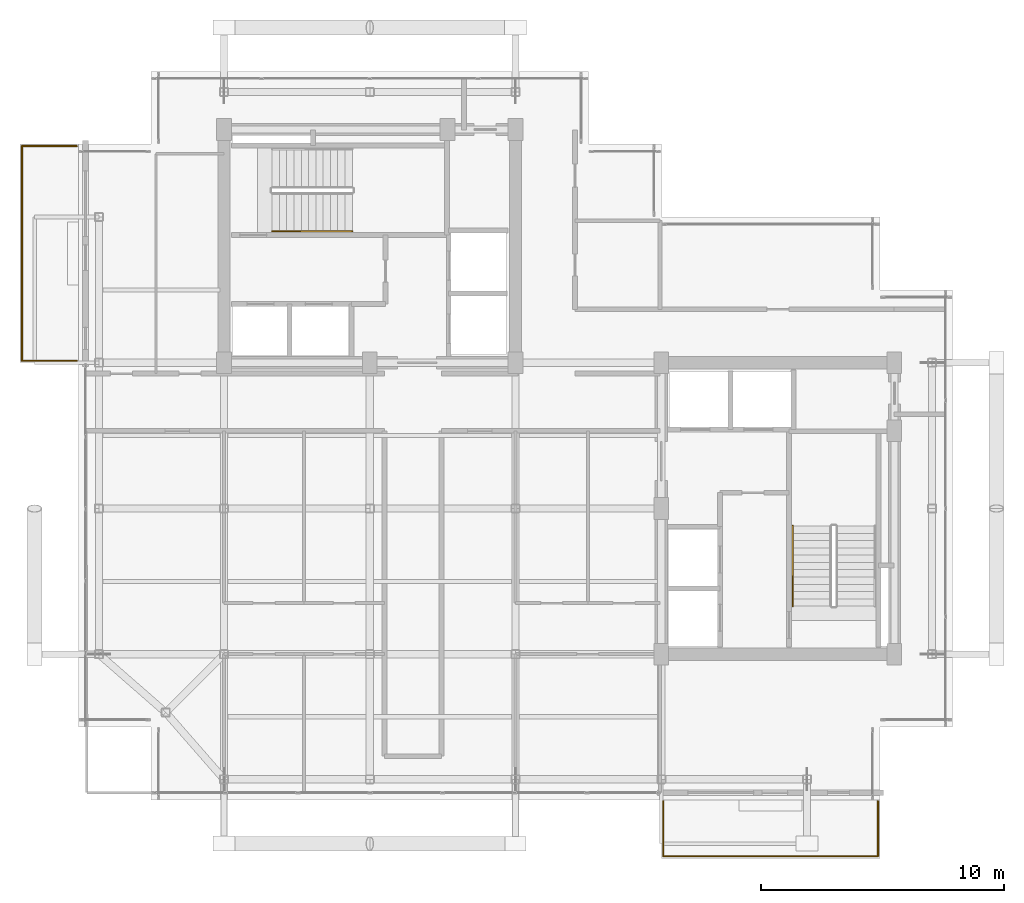
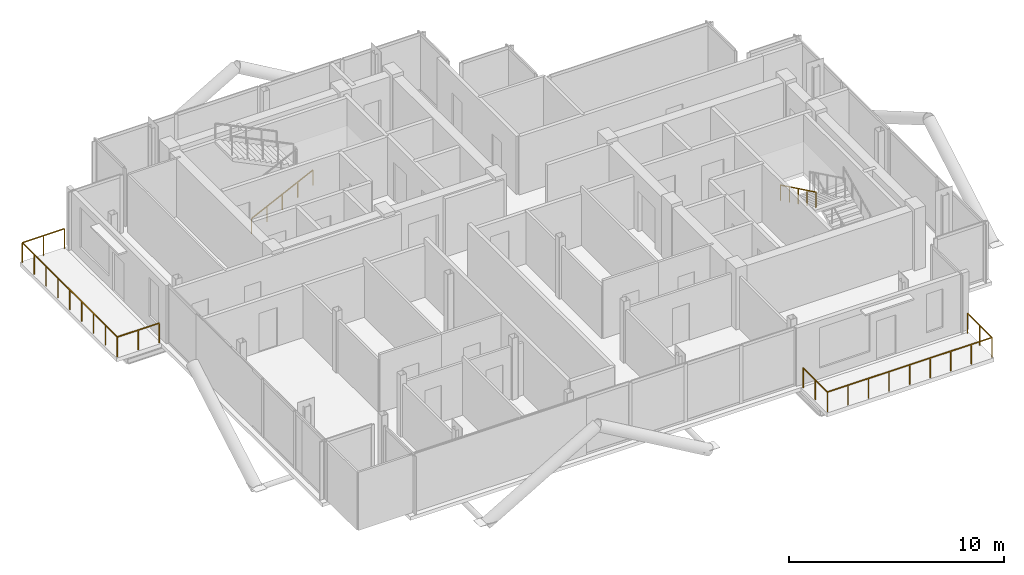
# One storey, part 18 of 19: 4 railings.
"""IFC4 building model written with IfcOpenShell, lengths in metres."""

import ifcopenshell
import ifcopenshell.guid

model = None  # the IFC model being written
_history = None  # IfcOwnerHistory: only IFC2X3 demands one
_inside = {}  # id of a spatial element -> (the spatial element, [elements in it])
_under = {}  # id of a project, library or spatial element -> (it, [spatial elements below it])
_declared = {}  # id of a project -> (the project, [libraries it declares])
_typed = {}  # id of a type object -> (the type object, [elements of that type])
_made_of = {}  # id of a material, layer set ... -> (it, [elements and type objects made of it])


def new_model(schema):
    """Start an empty IFC model of exactly this schema.

    Asked for "IFC4X3", IfcOpenShell would pick the latest addendum, in which some entities
    have other attributes; the version numbers below select the first issue.
    IFC2X3 requires an IfcOwnerHistory on every rooted entity: one is made here for all.
    """
    global model, _history
    if schema == "IFC4X3":
        model = ifcopenshell.file(schema_version=(4, 3, 0, 0))
    else:
        model = ifcopenshell.file(schema=schema)
    _inside.clear()
    _under.clear()
    _declared.clear()
    _typed.clear()
    _made_of.clear()
    _history = None
    if model.schema == "IFC2X3":
        org = make("IfcOrganization", Name="unknown")
        user = make(
            "IfcPersonAndOrganization",
            ThePerson=make("IfcPerson", FamilyName="unknown"),
            TheOrganization=org,
        )
        app = make(
            "IfcApplication",
            ApplicationDeveloper=org,
            Version="unknown",
            ApplicationFullName="unknown",
            ApplicationIdentifier="unknown",
        )
        _history = make(
            "IfcOwnerHistory",
            OwningUser=user,
            OwningApplication=app,
            ChangeAction="ADDED",
            CreationDate=0,
        )
    return model


def make(cls, **values):
    """One entity of the class cls with the attributes given. An attribute that is None is left unset."""
    return model.create_entity(
        cls, **{name: value for name, value in values.items() if value is not None}
    )


def rooted(cls, **values):
    """An entity with a GlobalId (a new one), such as an element, a storey or a relation."""
    return make(cls, GlobalId=ifcopenshell.guid.new(), OwnerHistory=_history, **values)


def si_unit(unit_type, name, prefix=None):
    """IfcSIUnit, for example si_unit("LENGTHUNIT", "METRE", prefix="MILLI")."""
    return make("IfcSIUnit", UnitType=unit_type, Prefix=prefix, Name=name)


def assignment(units):
    """IfcUnitAssignment: the units of a project."""
    return None if units is None else make("IfcUnitAssignment", Units=units)


def point(xyz):
    """IfcCartesianPoint."""
    return None if xyz is None else make("IfcCartesianPoint", Coordinates=xyz)


def direction(xyz):
    """IfcDirection."""
    return None if xyz is None else make("IfcDirection", DirectionRatios=xyz)


def frame(location, z_axis=None, x_axis=None):
    """IfcAxis2Placement3D, a coordinate frame: its origin and axes. An axis left out is left unset."""
    return make(
        "IfcAxis2Placement3D",
        Location=point(location),
        Axis=direction(z_axis),
        RefDirection=direction(x_axis),
    )


def frame_2d(location, x_axis=None):
    """IfcAxis2Placement2D, a coordinate frame in the plane: its origin and x axis."""
    return make(
        "IfcAxis2Placement2D", Location=point(location), RefDirection=direction(x_axis)
    )


def origin():
    """The frame at (0, 0, 0) with its axes left unset."""
    return frame((0.0, 0.0, 0.0))


def origin_2d():
    """The frame at (0, 0) in the plane with its x axis left unset."""
    return frame_2d((0.0, 0.0))


def place(relative_to, where):
    """IfcLocalPlacement: puts the frame where relative to a parent placement (None: the world)."""
    return make(
        "IfcLocalPlacement", PlacementRelTo=relative_to, RelativePlacement=where
    )


def context(
    kind, dimensions, precision=None, world=None, true_north=None, identifier=None
):
    """IfcGeometricRepresentationContext, for example the 3D "Model" context."""
    return make(
        "IfcGeometricRepresentationContext",
        ContextIdentifier=identifier,
        ContextType=kind,
        CoordinateSpaceDimension=dimensions,
        Precision=precision,
        WorldCoordinateSystem=world,
        TrueNorth=true_north,
    )


def subcontext(parent, identifier, kind, view, scale=None):
    """IfcGeometricRepresentationSubContext, for example "Body" below "Model"."""
    return make(
        "IfcGeometricRepresentationSubContext",
        ContextIdentifier=identifier,
        ContextType=kind,
        ParentContext=parent,
        TargetScale=scale,
        TargetView=view,
    )


def project(units=None, contexts=None):
    """IfcProject with its units and contexts."""
    return rooted(
        "IfcProject",
        Name="project",
        RepresentationContexts=contexts,
        UnitsInContext=assignment(units),
    )


def spatial(cls, under=None, at=None, **own):
    """A site, building, storey or space (cls), placed at a placement, below another one or the project."""
    s = rooted(cls, ObjectPlacement=at, **own)
    if under is not None:
        _under.setdefault(under.id(), (under, []))[1].append(s)
    return s


def profile(cls, at=None, kind="AREA", **sizes):
    """A parametric profile (cls). Its sizes go by their IFC names, for example OverallWidth=200.0."""
    return make(cls, ProfileType=kind, Position=at, **sizes)


def rectangle(**sizes):
    """IfcRectangleProfileDef."""
    return profile("IfcRectangleProfileDef", **sizes)


def extrude(swept, where, along, depth):
    """IfcExtrudedAreaSolid: the profile swept, set in the frame where, extruded along a direction by depth."""
    return make(
        "IfcExtrudedAreaSolid",
        SweptArea=swept,
        Position=where,
        ExtrudedDirection=direction(along),
        Depth=depth,
    )


def shape(context_of_items, identifier, shape_type, items):
    """IfcShapeRepresentation: the items that make up one representation, for example the "Body"."""
    return make(
        "IfcShapeRepresentation",
        ContextOfItems=context_of_items,
        RepresentationIdentifier=identifier,
        RepresentationType=shape_type,
        Items=items,
    )


def material(Name=None, Category=None):
    """IfcMaterial."""
    return make("IfcMaterial", Name=Name, Category=Category)


def made_of(thing, what):
    """Note that an element or type object is made of a material, layer set ...; save() writes the relation."""
    if what is not None:
        _made_of.setdefault(what.id(), (what, []))[1].append(thing)
    return thing


def type_object(cls, material=None, **own):
    """A type object (cls), such as IfcWallType, which elements share."""
    return made_of(rooted(cls, **own), material)


def element(
    cls,
    number,
    at=None,
    inside=None,
    cuts=None,
    type_object=None,
    material=None,
    context=None,
    identifier="Body",
    shape_type=None,
    held_by="IfcProductDefinitionShape",
    body=None,
    shapes=None,
    **own,
):
    """One element of the class cls, such as IfcWall. Its Tag is "e" and its number.

    at: its placement. inside: the storey or other place that contains it. cuts: it is an
    opening in that element (IfcRelVoidsElement). A single representation is given by context,
    identifier, shape_type and body (its items); several are given by shapes. held_by: the class
    of the entity that holds the representations. save() writes the other relations.
    """
    e = rooted(cls, Tag="e%d" % number, ObjectPlacement=at, **own)
    if body is not None:
        shapes = [shape(context, identifier, shape_type, body)]
    if shapes is not None:
        e.Representation = make(held_by, Representations=shapes)
    if inside is not None:
        _inside.setdefault(inside.id(), (inside, []))[1].append(e)
    if cuts is not None:
        rooted(
            "IfcRelVoidsElement", RelatingBuildingElement=cuts, RelatedOpeningElement=e
        )
    if type_object is not None:
        _typed.setdefault(type_object.id(), (type_object, []))[1].append(e)
    return made_of(e, material)


def aggregate(whole, parts):
    """IfcRelAggregates: a whole, such as a stair, and the parts it consists of."""
    return rooted("IfcRelAggregates", RelatingObject=whole, RelatedObjects=parts)


def save(model, path):
    """Write the relations noted so far, then the file.

    IfcRelAggregates (storeys below a building ...), IfcRelContainedInSpatialStructure (elements
    in a storey), IfcRelDefinesByType, IfcRelAssociatesMaterial and IfcRelDeclares: one each for
    every whole, place, type object, material and project.
    """
    for whole, parts in _under.values():
        aggregate(whole, parts)
    for where, things in _inside.values():
        rooted(
            "IfcRelContainedInSpatialStructure",
            RelatedElements=things,
            RelatingStructure=where,
        )
    for kind, things in _typed.values():
        rooted("IfcRelDefinesByType", RelatedObjects=things, RelatingType=kind)
    for what, things in _made_of.values():
        rooted("IfcRelAssociatesMaterial", RelatedObjects=things, RelatingMaterial=what)
    for by, libraries in _declared.values():
        rooted("IfcRelDeclares", RelatingContext=by, RelatedDefinitions=libraries)
    model.write(path)


model = new_model("IFC4")

# Units and contexts
model_context = context("Model", 3, precision=1e-05, world=origin(), true_north=direction((0.0, 1.0)))
body_context = subcontext(model_context, "Body", "Model", "MODEL_VIEW")
ifc_project = project(units=[si_unit("LENGTHUNIT", "METRE"), si_unit("AREAUNIT", "SQUARE_METRE"), si_unit("VOLUMEUNIT", "CUBIC_METRE"), si_unit("PLANEANGLEUNIT", "RADIAN"), si_unit("MASSUNIT", "GRAM", prefix="KILO"), si_unit("THERMODYNAMICTEMPERATUREUNIT", "KELVIN"), si_unit("POWERUNIT", "WATT")], contexts=[model_context])

# Site, building, storey
site_placement = place(None, origin())
site = spatial("IfcSite", under=ifc_project, at=site_placement, CompositionType="ELEMENT")
building_placement = place(site_placement, origin())
building = spatial("IfcBuilding", under=site, at=building_placement, Name="Svarakhadi Broadcast Tower", CompositionType="ELEMENT")
storey_placement = place(building_placement, frame((0.0, 0.0, 257.199951171875)))
storey = spatial("IfcBuildingStorey", under=building, at=storey_placement, Name="L64", CompositionType="ELEMENT", Elevation=257.199951171875)

# Railings
ifc_material_1 = material(Name="Laminated Structural SentryGlas Balustrade 25.5 mm", Category="glass")
railing_type_1 = type_object("IfcRailingType", Name="Guard_Balcony_GR01", PredefinedType="BALUSTRADE", material=ifc_material_1)
railing_1_placement = place(storey_placement, frame((24.080078125, -0.06005859375, 0.0)))
element("IfcRailing", 1, at=railing_1_placement, inside=storey, type_object=railing_type_1, Name="L64 South Tree Balcony Guard GR-05", PredefinedType="BALUSTRADE", context=body_context, shape_type="SweptSolid", body=[
    extrude(rectangle(XDim=0.048095703125, YDim=0.048095703125, at=origin_2d()), frame((0.0, 0.0, 1.1259765625), z_axis=(0.0, -1.0, 0.0), x_axis=(1.0, 0.0, 0.0)), (0.0, 0.0, 1.0), 2.260009765625),
    extrude(rectangle(XDim=0.048095703125, YDim=0.048095703125, at=origin_2d()), frame((0.0, -2.260009765625, 1.1259765625), z_axis=(1.0, 0.0, 0.0), x_axis=(0.0, 1.0, 0.0)), (0.0, 0.0, 1.0), 8.83984375),
    extrude(rectangle(XDim=0.048095703125, YDim=0.048095703125, at=origin_2d()), frame((8.83984375, -2.260009765625, 1.1259765625), z_axis=(0.0, 1.0, 0.0), x_axis=(-1.0, 0.0, 0.0)), (0.0, 0.0, 1.0), 2.260009765625),
    extrude(rectangle(XDim=0.0419921875, YDim=0.0419921875, at=origin_2d()), origin(), (0.0, 0.0, 1.0), 1.101806640625),
    extrude(rectangle(XDim=0.0419921875, YDim=0.0419921875, at=origin_2d()), frame((0.0, -1.1298828125, 0.0)), (0.0, 0.0, 1.0), 1.101806640625),
    extrude(rectangle(XDim=0.0419921875, YDim=0.0419921875, at=origin_2d()), frame((0.0, -2.260009765625, 0.0)), (0.0, 0.0, 1.0), 1.101806640625),
    extrude(rectangle(XDim=0.0419921875, YDim=0.0419921875, at=origin_2d()), frame((1.10498046875, -2.260009765625, 0.0)), (0.0, 0.0, 1.0), 1.101806640625),
    extrude(rectangle(XDim=0.0419921875, YDim=0.0419921875, at=origin_2d()), frame((2.2099609375, -2.260009765625, 0.0)), (0.0, 0.0, 1.0), 1.101806640625),
    extrude(rectangle(XDim=0.0419921875, YDim=0.0419921875, at=origin_2d()), frame((3.31494140625, -2.260009765625, 0.0)), (0.0, 0.0, 1.0), 1.101806640625),
    extrude(rectangle(XDim=0.0419921875, YDim=0.0419921875, at=origin_2d()), frame((4.419921875, -2.260009765625, 0.0)), (0.0, 0.0, 1.0), 1.101806640625),
    extrude(rectangle(XDim=0.0419921875, YDim=0.0419921875, at=origin_2d()), frame((5.52490234375, -2.260009765625, 0.0)), (0.0, 0.0, 1.0), 1.101806640625),
    extrude(rectangle(XDim=0.0419921875, YDim=0.0419921875, at=origin_2d()), frame((6.6298828125, -2.260009765625, 0.0)), (0.0, 0.0, 1.0), 1.101806640625),
    extrude(rectangle(XDim=0.0419921875, YDim=0.0419921875, at=origin_2d()), frame((7.73486328125, -2.260009765625, 0.0)), (0.0, 0.0, 1.0), 1.101806640625),
    extrude(rectangle(XDim=0.0419921875, YDim=0.0419921875, at=origin_2d()), frame((8.83984375, -2.260009765625, 0.0)), (0.0, 0.0, 1.0), 1.101806640625),
    extrude(rectangle(XDim=0.0419921875, YDim=0.0419921875, at=origin_2d()), frame((8.83984375, -1.1298828125, 0.0)), (0.0, 0.0, 1.0), 1.101806640625),
    extrude(rectangle(XDim=0.0419921875, YDim=0.0419921875, at=origin_2d()), frame((8.83984375, 0.0, 0.0)), (0.0, 0.0, 1.0), 1.101806640625),
])
railing_2_placement = place(storey_placement, frame((-0.06005859375, 18.080078125, 0.0)))
element("IfcRailing", 2, at=railing_2_placement, inside=storey, type_object=railing_type_1, Name="L64 West Tree Balcony Guard GR-05", PredefinedType="BALUSTRADE", context=body_context, shape_type="SweptSolid", body=[
    extrude(rectangle(XDim=0.048095703125, YDim=0.048095703125, at=origin_2d()), frame((0.0, 0.0, 1.1259765625), z_axis=(-1.0, 0.0, 0.0), x_axis=(0.0, -1.0, 0.0)), (0.0, 0.0, 1.0), 2.260009765625),
    extrude(rectangle(XDim=0.048095703125, YDim=0.048095703125, at=origin_2d()), frame((-2.260009765625, 0.0, 1.1259765625), z_axis=(0.0, 1.0, 0.0), x_axis=(-1.0, 0.0, 0.0)), (0.0, 0.0, 1.0), 8.83984375),
    extrude(rectangle(XDim=0.048095703125, YDim=0.048095703125, at=origin_2d()), frame((-2.260009765625, 8.83984375, 1.1259765625), z_axis=(1.0, 0.0, 0.0), x_axis=(0.0, 1.0, 0.0)), (0.0, 0.0, 1.0), 2.260009765625),
    extrude(rectangle(XDim=0.0419921875, YDim=0.0419921875, at=origin_2d()), origin(), (0.0, 0.0, 1.0), 1.101806640625),
    extrude(rectangle(XDim=0.0419921875, YDim=0.0419921875, at=origin_2d()), frame((-1.1298828125, 0.0, 0.0)), (0.0, 0.0, 1.0), 1.101806640625),
    extrude(rectangle(XDim=0.0419921875, YDim=0.0419921875, at=origin_2d()), frame((-2.260009765625, 0.0, 0.0)), (0.0, 0.0, 1.0), 1.101806640625),
    extrude(rectangle(XDim=0.0419921875, YDim=0.0419921875, at=origin_2d()), frame((-2.260009765625, 1.10498046875, 0.0)), (0.0, 0.0, 1.0), 1.101806640625),
    extrude(rectangle(XDim=0.0419921875, YDim=0.0419921875, at=origin_2d()), frame((-2.260009765625, 2.2099609375, 0.0)), (0.0, 0.0, 1.0), 1.101806640625),
    extrude(rectangle(XDim=0.0419921875, YDim=0.0419921875, at=origin_2d()), frame((-2.260009765625, 3.31494140625, 0.0)), (0.0, 0.0, 1.0), 1.101806640625),
    extrude(rectangle(XDim=0.0419921875, YDim=0.0419921875, at=origin_2d()), frame((-2.260009765625, 4.419921875, 0.0)), (0.0, 0.0, 1.0), 1.101806640625),
    extrude(rectangle(XDim=0.0419921875, YDim=0.0419921875, at=origin_2d()), frame((-2.260009765625, 5.52490234375, 0.0)), (0.0, 0.0, 1.0), 1.101806640625),
    extrude(rectangle(XDim=0.0419921875, YDim=0.0419921875, at=origin_2d()), frame((-2.260009765625, 6.6298828125, 0.0)), (0.0, 0.0, 1.0), 1.101806640625),
    extrude(rectangle(XDim=0.0419921875, YDim=0.0419921875, at=origin_2d()), frame((-2.260009765625, 7.73486328125, 0.0)), (0.0, 0.0, 1.0), 1.101806640625),
    extrude(rectangle(XDim=0.0419921875, YDim=0.0419921875, at=origin_2d()), frame((-2.260009765625, 8.83984375, 0.0)), (0.0, 0.0, 1.0), 1.101806640625),
    extrude(rectangle(XDim=0.0419921875, YDim=0.0419921875, at=origin_2d()), frame((-1.1298828125, 8.83984375, 0.0)), (0.0, 0.0, 1.0), 1.101806640625),
    extrude(rectangle(XDim=0.0419921875, YDim=0.0419921875, at=origin_2d()), frame((0.0, 8.83984375, 0.0)), (0.0, 0.0, 1.0), 1.101806640625),
])
ifc_material_2 = material(Name="Anodised Bronze Aluminium AA 6063-T6", Category="aluminium")
railing_type_2 = type_object("IfcRailingType", Name="Handrail_Stair_HR01", PredefinedType="HANDRAIL", material=ifc_material_2)
railing_3_placement = place(storey_placement, frame((7.97998046875, 23.409912109375, 0.14599609375)))
element("IfcRailing", 3, at=railing_3_placement, inside=storey, type_object=railing_type_2, Name="L64 ST-01 stair handrail 1", PredefinedType="HANDRAIL", context=body_context, shape_type="SweptSolid", body=[
    extrude(rectangle(XDim=0.048095703125, YDim=0.048095703125, at=origin_2d()), frame((0.0, 0.0, 0.8759765625), z_axis=(0.899387838337, 0.0, 0.437151594131), x_axis=(0.0, 1.0, 0.0)), (0.0, 0.0, 1.0), 3.669189453125),
    extrude(rectangle(XDim=0.0419921875, YDim=0.0419921875, at=origin_2d()), origin(), (0.0, 0.0, 1.0), 0.851806640625),
    extrude(rectangle(XDim=0.0419921875, YDim=0.0419921875, at=origin_2d()), frame((0.824951171875, 0.0, 0.40087890625)), (0.0, 0.0, 1.0), 0.851806640625),
    extrude(rectangle(XDim=0.0419921875, YDim=0.0419921875, at=origin_2d()), frame((1.64990234375, 0.0, 0.802001953125)), (0.0, 0.0, 1.0), 0.851806640625),
    extrude(rectangle(XDim=0.0419921875, YDim=0.0419921875, at=origin_2d()), frame((2.47509765625, 0.0, 1.203125)), (0.0, 0.0, 1.0), 0.851806640625),
    extrude(rectangle(XDim=0.0419921875, YDim=0.0419921875, at=origin_2d()), frame((3.300048828125, 0.0, 1.60400390625)), (0.0, 0.0, 1.0), 0.851806640625),
])
railing_4_placement = place(storey_placement, frame((29.409912109375, 11.280029296875, 1.89599609375)))
element("IfcRailing", 4, at=railing_4_placement, inside=storey, type_object=railing_type_2, Name="L64 ST-02 stair handrail 2", PredefinedType="HANDRAIL", context=body_context, shape_type="SweptSolid", body=[
    extrude(rectangle(XDim=0.048095703125, YDim=0.048095703125, at=origin_2d()), frame((0.0, 0.0, 0.8759765625), z_axis=(0.0, -0.899387838337, 0.437151594131), x_axis=(1.0, 0.0, 0.0)), (0.0, 0.0, 1.0), 3.669189453125),
    extrude(rectangle(XDim=0.0419921875, YDim=0.0419921875, at=origin_2d()), origin(), (0.0, 0.0, 1.0), 0.851806640625),
    extrude(rectangle(XDim=0.0419921875, YDim=0.0419921875, at=origin_2d()), frame((0.0, -0.824951171875, 0.40087890625)), (0.0, 0.0, 1.0), 0.851806640625),
    extrude(rectangle(XDim=0.0419921875, YDim=0.0419921875, at=origin_2d()), frame((0.0, -1.64990234375, 0.802001953125)), (0.0, 0.0, 1.0), 0.851806640625),
    extrude(rectangle(XDim=0.0419921875, YDim=0.0419921875, at=origin_2d()), frame((0.0, -2.47509765625, 1.203125)), (0.0, 0.0, 1.0), 0.851806640625),
    extrude(rectangle(XDim=0.0419921875, YDim=0.0419921875, at=origin_2d()), frame((0.0, -3.300048828125, 1.60400390625)), (0.0, 0.0, 1.0), 0.851806640625),
])

save(model, "model.ifc")
